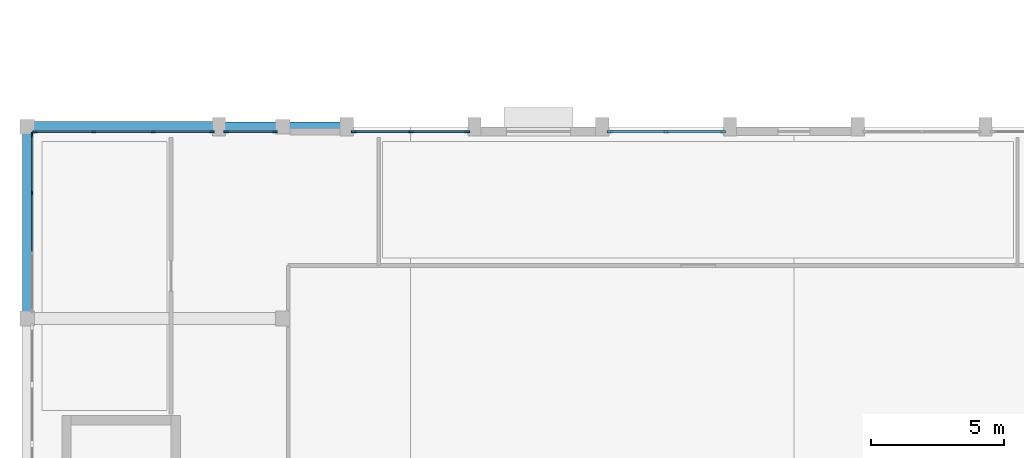
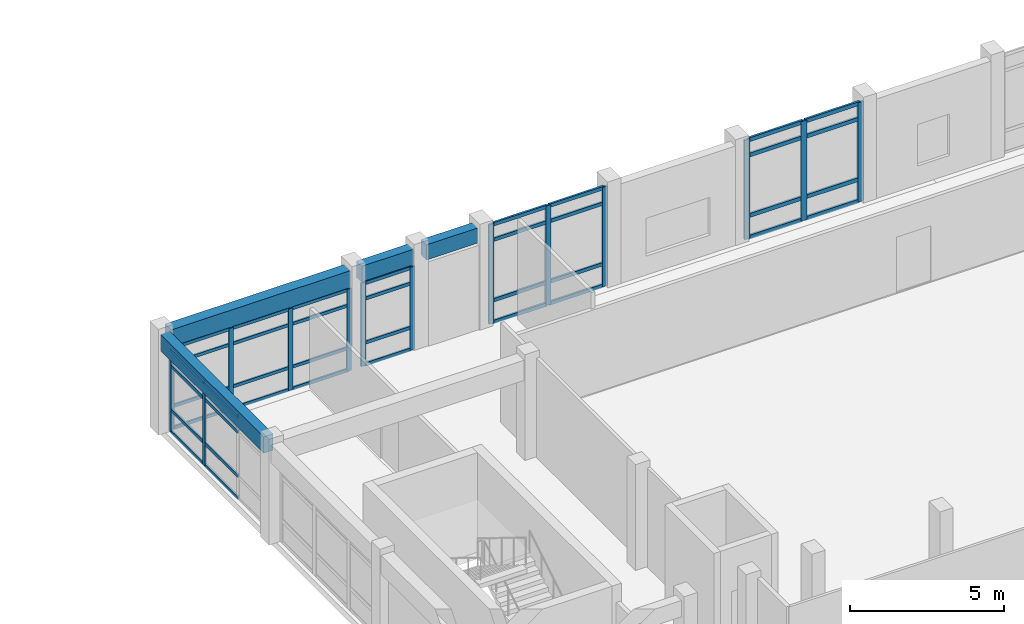
# One storey, part 14 of 60: 54 members, 4 beams, 5 elements without a shape of their own.
"""IFC4 building model written with IfcOpenShell, lengths in metres."""

from ifc_helpers import new_model, si_unit, direction, frame, origin, origin_2d, place, context, subcontext, project, spatial, rectangle, extrude, material, layer, layer_set, material_profile, profile_set, type_object, element, aggregate, save


model = new_model("IFC4")

# Units and contexts
model_context = context("Model", 3, precision=1e-05, world=origin(), true_north=direction((0.0, 1.0)))
body_context = subcontext(model_context, "Body", "Model", "MODEL_VIEW")
ifc_project = project(units=[si_unit("LENGTHUNIT", "METRE"), si_unit("AREAUNIT", "SQUARE_METRE"), si_unit("VOLUMEUNIT", "CUBIC_METRE"), si_unit("PLANEANGLEUNIT", "RADIAN"), si_unit("MASSUNIT", "GRAM", prefix="KILO")], contexts=[model_context])

# Site, building, storey
site_placement = place(None, origin())
site = spatial("IfcSite", under=ifc_project, at=site_placement, CompositionType="ELEMENT")
building_placement = place(site_placement, origin())
building = spatial("IfcBuilding", under=site, at=building_placement, Name="Brisavento Harbour Community Centre", CompositionType="ELEMENT")
storey_placement = place(building_placement, frame((0.0, 0.0, 4.5)))
storey = spatial("IfcBuildingStorey", under=building, at=storey_placement, Name="L01", CompositionType="ELEMENT", Elevation=4.5)

# Beams
ifc_material_1 = material(Name="Concrete C35/45", Category="concrete")
ifc_material_profile_1 = material_profile(ifc_material_1, rectangle(XDim=0.35009765625, YDim=0.60009765625, at=origin_2d()), Name="Concrete C35/45")
ifc_profile_set_1 = profile_set([ifc_material_profile_1], Name="Concrete C35/45")
beam_type_1 = type_object("IfcBeamType", Name="BM-RC-350x600", PredefinedType="BEAM", material=ifc_profile_set_1)
beam_1_placement = place(storey_placement, frame((9.844970703125, 36.0, 3.64990234375), z_axis=(1.0, 0.0, 0.0), x_axis=(0.0, 1.0, 0.0)))
element("IfcBeam", 1, at=beam_1_placement, inside=storey, type_object=beam_type_1, Name="L01 primary girder X0444", PredefinedType="BEAM", context=body_context, shape_type="SweptSolid", body=[
    extrude(rectangle(XDim=0.35009765625, YDim=0.60009765625, at=origin_2d()), origin(), (0.0, 0.0, 1.0), 1.93505859375),
])
ifc_material_profile_2 = material_profile(ifc_material_1, rectangle(XDim=0.35009765625, YDim=0.64990234375, at=origin_2d()), Name="Concrete C35/45")
ifc_profile_set_2 = profile_set([ifc_material_profile_2], Name="Concrete C35/45")
beam_type_2 = type_object("IfcBeamType", Name="BM-RC-350x650", PredefinedType="BEAM", material=ifc_profile_set_2)
beam_2_placement = place(storey_placement, frame((7.419921875, 36.0, 3.625), z_axis=(1.0, 0.0, 0.0), x_axis=(0.0, 1.0, 0.0)))
element("IfcBeam", 2, at=beam_2_placement, inside=storey, type_object=beam_type_2, Name="L01 primary girder X0443", PredefinedType="BEAM", context=body_context, shape_type="SweptSolid", body=[
    extrude(rectangle(XDim=0.35009765625, YDim=0.64990234375, at=origin_2d()), origin(), (0.0, 0.0, 1.0), 1.93505859375),
])
beam_3_placement = place(storey_placement, frame((0.0, 29.044921875, 3.625), z_axis=(0.0, 1.0, 0.0), x_axis=(-1.0, 0.0, 0.0)))
element("IfcBeam", 3, at=beam_3_placement, inside=storey, type_object=beam_type_2, Name="L01 primary girder Y0478", PredefinedType="BEAM", context=body_context, shape_type="SweptSolid", body=[
    extrude(rectangle(XDim=0.35009765625, YDim=0.64990234375, at=origin_2d()), origin(), (0.0, 0.0, 1.0), 6.7099609375),
])
ifc_material_profile_3 = material_profile(ifc_material_1, rectangle(XDim=0.39990234375, YDim=0.699951171875, at=origin_2d()), Name="Concrete C35/45")
ifc_profile_set_3 = profile_set([ifc_material_profile_3], Name="Concrete C35/45")
beam_type_3 = type_object("IfcBeamType", Name="BM-RC-400x700", PredefinedType="BEAM", material=ifc_profile_set_3)
beam_4_placement = place(storey_placement, frame((0.2451171875, 36.0, 3.60009765625), z_axis=(1.0, 0.0, 0.0), x_axis=(0.0, 1.0, 0.0)))
element("IfcBeam", 4, at=beam_4_placement, inside=storey, type_object=beam_type_3, Name="L01 primary girder X0442", PredefinedType="BEAM", context=body_context, shape_type="SweptSolid", body=[
    extrude(rectangle(XDim=0.39990234375, YDim=0.699951171875, at=origin_2d()), origin(), (0.0, 0.0, 1.0), 6.73486328125),
])

# Curtain wall, members
ifc_material_2 = material(Name="Marine-anodised aluminium AW-6063-T6", Category="aluminium")
ifc_layer_1 = layer(ifc_material_2, 0.179931640625, Name="Marine-anodised aluminium AW-6063-T6")
ifc_layer_set_1 = layer_set([ifc_layer_1], Name="Marine-anodised aluminium AW-6063-T6")
curtain_wall_type_1 = type_object("IfcCurtainWallType", Name="CW-SYS-13", PredefinedType="USERDEFINED", material=ifc_layer_set_1)
curtain_wall_1_placement = place(storey_placement, origin())
curtain_wall_1 = element("IfcCurtainWall", 5, at=curtain_wall_1_placement, inside=storey, type_object=curtain_wall_type_1, Name="L01 V1 unitised curtain wall 041", ObjectType="UNITISED CURTAIN WALL", PredefinedType="USERDEFINED")
ifc_material_profile_4 = material_profile(ifc_material_2, rectangle(XDim=0.06494140625, YDim=0.1650390625, at=origin_2d()), Name="Marine-anodised aluminium AW-6063-T6")
ifc_profile_set_4 = profile_set([ifc_material_profile_4], Name="Marine-anodised aluminium AW-6063-T6")
member_type_1 = type_object("IfcMemberType", Name="CWM-01", PredefinedType="MULLION", material=ifc_profile_set_4)
member_1_placement = place(storey_placement, frame((0.29248046875, 35.820068359375, 0.0), z_axis=(0.0, 0.0, 1.0), x_axis=(0.0, 1.0, 0.0)))
member_1 = element("IfcMember", 6, at=member_1_placement, type_object=member_type_1, Name="CW-13 mullion 1", PredefinedType="MULLION", context=body_context, shape_type="SweptSolid", body=[
    extrude(rectangle(XDim=0.06494140625, YDim=0.1650390625, at=origin_2d()), origin(), (0.0, 0.0, 1.0), 3.25),
])
member_2_placement = place(storey_placement, frame((2.4951171875, 35.820068359375, 0.0), z_axis=(0.0, 0.0, 1.0), x_axis=(0.0, 1.0, 0.0)))
member_2 = element("IfcMember", 7, at=member_2_placement, type_object=member_type_1, Name="CW-13 mullion 2", PredefinedType="MULLION", context=body_context, shape_type="SweptSolid", body=[
    extrude(rectangle(XDim=0.06494140625, YDim=0.1650390625, at=origin_2d()), origin(), (0.0, 0.0, 1.0), 3.25),
])
member_3_placement = place(storey_placement, frame((4.72998046875, 35.820068359375, 0.0), z_axis=(0.0, 0.0, 1.0), x_axis=(0.0, 1.0, 0.0)))
member_3 = element("IfcMember", 8, at=member_3_placement, type_object=member_type_1, Name="CW-13 mullion 3", PredefinedType="MULLION", context=body_context, shape_type="SweptSolid", body=[
    extrude(rectangle(XDim=0.06494140625, YDim=0.1650390625, at=origin_2d()), origin(), (0.0, 0.0, 1.0), 3.25),
])
member_4_placement = place(storey_placement, frame((6.9326171875, 35.820068359375, 0.0), z_axis=(0.0, 0.0, 1.0), x_axis=(0.0, 1.0, 0.0)))
member_4 = element("IfcMember", 9, at=member_4_placement, type_object=member_type_1, Name="CW-13 mullion 4", PredefinedType="MULLION", context=body_context, shape_type="SweptSolid", body=[
    extrude(rectangle(XDim=0.06494140625, YDim=0.1650390625, at=origin_2d()), origin(), (0.0, 0.0, 1.0), 3.25),
])

ifc_layer_2 = layer(ifc_material_2, 0.179931640625, Name="Marine-anodised aluminium AW-6063-T6")
ifc_layer_set_2 = layer_set([ifc_layer_2], Name="Marine-anodised aluminium AW-6063-T6")
curtain_wall_type_2 = type_object("IfcCurtainWallType", Name="CW-SYS-21", PredefinedType="USERDEFINED", material=ifc_layer_set_2)
curtain_wall_2_placement = place(storey_placement, origin())
curtain_wall_2 = element("IfcCurtainWall", 10, at=curtain_wall_2_placement, inside=storey, type_object=curtain_wall_type_2, Name="L01 V1 unitised curtain wall 049", ObjectType="UNITISED CURTAIN WALL", PredefinedType="USERDEFINED")
member_5_placement = place(storey_placement, frame((0.179931640625, 33.513427734375, 0.0), z_axis=(0.0, 0.0, 1.0), x_axis=(-1.0, 0.0, 0.0)))
member_5 = element("IfcMember", 11, at=member_5_placement, type_object=member_type_1, Name="CW-21 mullion 3", PredefinedType="MULLION", context=body_context, shape_type="SweptSolid", body=[
    extrude(rectangle(XDim=0.06494140625, YDim=0.1650390625, at=origin_2d()), origin(), (0.0, 0.0, 1.0), 3.300048828125),
])
member_6_placement = place(storey_placement, frame((0.179931640625, 35.70751953125, 0.0), z_axis=(0.0, 0.0, 1.0), x_axis=(-1.0, 0.0, 0.0)))
member_6 = element("IfcMember", 12, at=member_6_placement, type_object=member_type_1, Name="CW-21 mullion 4", PredefinedType="MULLION", context=body_context, shape_type="SweptSolid", body=[
    extrude(rectangle(XDim=0.06494140625, YDim=0.1650390625, at=origin_2d()), origin(), (0.0, 0.0, 1.0), 3.300048828125),
])

ifc_layer_3 = layer(ifc_material_2, 0.179931640625, Name="Marine-anodised aluminium AW-6063-T6")
ifc_layer_set_3 = layer_set([ifc_layer_3], Name="Marine-anodised aluminium AW-6063-T6")
curtain_wall_type_3 = type_object("IfcCurtainWallType", Name="CW-SYS-14", PredefinedType="USERDEFINED", material=ifc_layer_set_3)
curtain_wall_3_placement = place(storey_placement, origin())
curtain_wall_3 = element("IfcCurtainWall", 13, at=curtain_wall_3_placement, inside=storey, type_object=curtain_wall_type_3, Name="L01 V1 unitised curtain wall 042", ObjectType="UNITISED CURTAIN WALL", PredefinedType="USERDEFINED")
ifc_material_profile_5 = material_profile(ifc_material_2, rectangle(XDim=0.070068359375, YDim=0.179931640625, at=origin_2d()), Name="Marine-anodised aluminium AW-6063-T6")
ifc_profile_set_5 = profile_set([ifc_material_profile_5], Name="Marine-anodised aluminium AW-6063-T6")
member_type_2 = type_object("IfcMemberType", Name="CWM-02", PredefinedType="MULLION", material=ifc_profile_set_5)
member_7_placement = place(storey_placement, frame((7.469970703125, 35.820068359375, 0.0), z_axis=(0.0, 0.0, 1.0), x_axis=(0.0, 1.0, 0.0)))
member_7 = element("IfcMember", 14, at=member_7_placement, type_object=member_type_2, Name="CW-14 mullion 1", PredefinedType="MULLION", context=body_context, shape_type="SweptSolid", body=[
    extrude(rectangle(XDim=0.070068359375, YDim=0.179931640625, at=origin_2d()), origin(), (0.0, 0.0, 1.0), 3.300048828125),
])
member_8_placement = place(storey_placement, frame((9.304931640625, 35.820068359375, 0.0), z_axis=(0.0, 0.0, 1.0), x_axis=(0.0, 1.0, 0.0)))
member_8 = element("IfcMember", 15, at=member_8_placement, type_object=member_type_2, Name="CW-14 mullion 2", PredefinedType="MULLION", context=body_context, shape_type="SweptSolid", body=[
    extrude(rectangle(XDim=0.070068359375, YDim=0.179931640625, at=origin_2d()), origin(), (0.0, 0.0, 1.0), 3.300048828125),
])

ifc_layer_4 = layer(ifc_material_2, 0.179931640625, Name="Marine-anodised aluminium AW-6063-T6")
ifc_layer_set_4 = layer_set([ifc_layer_4], Name="Marine-anodised aluminium AW-6063-T6")
curtain_wall_type_4 = type_object("IfcCurtainWallType", Name="CW-SYS-15", PredefinedType="USERDEFINED", material=ifc_layer_set_4)
curtain_wall_4_placement = place(storey_placement, origin())
curtain_wall_4 = element("IfcCurtainWall", 16, at=curtain_wall_4_placement, inside=storey, type_object=curtain_wall_type_4, Name="L01 V1 unitised curtain wall 043", ObjectType="UNITISED CURTAIN WALL", PredefinedType="USERDEFINED")
ifc_material_profile_6 = material_profile(ifc_material_2, rectangle(XDim=0.074951171875, YDim=0.18994140625, at=origin_2d()), Name="Marine-anodised aluminium AW-6063-T6")
ifc_profile_set_6 = profile_set([ifc_material_profile_6], Name="Marine-anodised aluminium AW-6063-T6")
member_type_3 = type_object("IfcMemberType", Name="CWM-03", PredefinedType="MULLION", material=ifc_profile_set_6)
member_9_placement = place(storey_placement, frame((12.2724609375, 35.820068359375, 0.0), z_axis=(0.0, 0.0, 1.0), x_axis=(0.0, 1.0, 0.0)))
member_9 = element("IfcMember", 17, at=member_9_placement, type_object=member_type_3, Name="CW-15 mullion 1", PredefinedType="MULLION", context=body_context, shape_type="SweptSolid", body=[
    extrude(rectangle(XDim=0.074951171875, YDim=0.18994140625, at=origin_2d()), origin(), (0.0, 0.0, 1.0), 3.949951171875),
])
member_10_placement = place(storey_placement, frame((14.39990234375, 35.820068359375, 0.0), z_axis=(0.0, 0.0, 1.0), x_axis=(0.0, 1.0, 0.0)))
member_10 = element("IfcMember", 18, at=member_10_placement, type_object=member_type_3, Name="CW-15 mullion 2", PredefinedType="MULLION", context=body_context, shape_type="SweptSolid", body=[
    extrude(rectangle(XDim=0.074951171875, YDim=0.18994140625, at=origin_2d()), origin(), (0.0, 0.0, 1.0), 3.949951171875),
])
member_11_placement = place(storey_placement, frame((16.527587890625, 35.820068359375, 0.0), z_axis=(0.0, 0.0, 1.0), x_axis=(0.0, 1.0, 0.0)))
member_11 = element("IfcMember", 19, at=member_11_placement, type_object=member_type_3, Name="CW-15 mullion 3", PredefinedType="MULLION", context=body_context, shape_type="SweptSolid", body=[
    extrude(rectangle(XDim=0.074951171875, YDim=0.18994140625, at=origin_2d()), origin(), (0.0, 0.0, 1.0), 3.949951171875),
])

ifc_layer_5 = layer(ifc_material_2, 0.179931640625, Name="Marine-anodised aluminium AW-6063-T6")
ifc_layer_set_5 = layer_set([ifc_layer_5], Name="Marine-anodised aluminium AW-6063-T6")
curtain_wall_type_5 = type_object("IfcCurtainWallType", Name="CW-SYS-16", PredefinedType="USERDEFINED", material=ifc_layer_set_5)
curtain_wall_5_placement = place(storey_placement, origin())
curtain_wall_5 = element("IfcCurtainWall", 20, at=curtain_wall_5_placement, inside=storey, type_object=curtain_wall_type_5, Name="L01 V1 unitised curtain wall 044", ObjectType="UNITISED CURTAIN WALL", PredefinedType="USERDEFINED")
ifc_material_profile_7 = material_profile(ifc_material_2, rectangle(XDim=0.080078125, YDim=0.2099609375, at=origin_2d()), Name="Marine-anodised aluminium AW-6063-T6")
ifc_profile_set_7 = profile_set([ifc_material_profile_7], Name="Marine-anodised aluminium AW-6063-T6")
member_type_4 = type_object("IfcMemberType", Name="CWM-04", PredefinedType="MULLION", material=ifc_profile_set_7)
member_12_placement = place(storey_placement, frame((21.875, 35.820068359375, 0.0), z_axis=(0.0, 0.0, 1.0), x_axis=(0.0, 1.0, 0.0)))
member_12 = element("IfcMember", 21, at=member_12_placement, type_object=member_type_4, Name="CW-16 mullion 1", PredefinedType="MULLION", context=body_context, shape_type="SweptSolid", body=[
    extrude(rectangle(XDim=0.080078125, YDim=0.2099609375, at=origin_2d()), origin(), (0.0, 0.0, 1.0), 3.949951171875),
])
member_13_placement = place(storey_placement, frame((24.0, 35.820068359375, 0.0), z_axis=(0.0, 0.0, 1.0), x_axis=(0.0, 1.0, 0.0)))
member_13 = element("IfcMember", 22, at=member_13_placement, type_object=member_type_4, Name="CW-16 mullion 2", PredefinedType="MULLION", context=body_context, shape_type="SweptSolid", body=[
    extrude(rectangle(XDim=0.080078125, YDim=0.2099609375, at=origin_2d()), origin(), (0.0, 0.0, 1.0), 3.949951171875),
])
member_14_placement = place(storey_placement, frame((26.125, 35.820068359375, 0.0), z_axis=(0.0, 0.0, 1.0), x_axis=(0.0, 1.0, 0.0)))
member_14 = element("IfcMember", 23, at=member_14_placement, type_object=member_type_4, Name="CW-16 mullion 3", PredefinedType="MULLION", context=body_context, shape_type="SweptSolid", body=[
    extrude(rectangle(XDim=0.080078125, YDim=0.2099609375, at=origin_2d()), origin(), (0.0, 0.0, 1.0), 3.949951171875),
])

# Member
ifc_material_profile_8 = material_profile(ifc_material_2, rectangle(XDim=0.06494140625, YDim=0.125, at=origin_2d()), Name="Marine-anodised aluminium AW-6063-T6")
ifc_profile_set_8 = profile_set([ifc_material_profile_8], Name="Marine-anodised aluminium AW-6063-T6")
member_type_5 = type_object("IfcMemberType", Name="CWT-01", PredefinedType="USERDEFINED", material=ifc_profile_set_8)
member_15_placement = place(storey_placement, frame((0.324951171875, 35.820068359375, 0.032470703125), z_axis=(1.0, 0.0, 0.0), x_axis=(0.0, 1.0, 0.0)))
member_15 = element("IfcMember", 24, at=member_15_placement, type_object=member_type_5, Name="CW-13 transom 1.1", ObjectType="TRANSOM", PredefinedType="USERDEFINED", context=body_context, shape_type="SweptSolid", body=[
    extrude(rectangle(XDim=0.06494140625, YDim=0.125, at=origin_2d()), origin(), (0.0, 0.0, 1.0), 2.137451171875),
])

member_16_placement = place(storey_placement, frame((0.324951171875, 35.820068359375, 0.89990234375), z_axis=(1.0, 0.0, 0.0), x_axis=(0.0, 1.0, 0.0)))
member_16 = element("IfcMember", 25, at=member_16_placement, type_object=member_type_5, Name="CW-13 transom 1.2", ObjectType="TRANSOM", PredefinedType="USERDEFINED", context=body_context, shape_type="SweptSolid", body=[
    extrude(rectangle(XDim=0.06494140625, YDim=0.125, at=origin_2d()), origin(), (0.0, 0.0, 1.0), 2.137451171875),
])

member_17_placement = place(storey_placement, frame((0.324951171875, 35.820068359375, 2.60009765625), z_axis=(1.0, 0.0, 0.0), x_axis=(0.0, 1.0, 0.0)))
member_17 = element("IfcMember", 26, at=member_17_placement, type_object=member_type_5, Name="CW-13 transom 1.3", ObjectType="TRANSOM", PredefinedType="USERDEFINED", context=body_context, shape_type="SweptSolid", body=[
    extrude(rectangle(XDim=0.06494140625, YDim=0.125, at=origin_2d()), origin(), (0.0, 0.0, 1.0), 2.137451171875),
])

member_18_placement = place(storey_placement, frame((0.324951171875, 35.820068359375, 3.217529296875), z_axis=(1.0, 0.0, 0.0), x_axis=(0.0, 1.0, 0.0)))
member_18 = element("IfcMember", 27, at=member_18_placement, type_object=member_type_5, Name="CW-13 transom 1.4", ObjectType="TRANSOM", PredefinedType="USERDEFINED", context=body_context, shape_type="SweptSolid", body=[
    extrude(rectangle(XDim=0.06494140625, YDim=0.125, at=origin_2d()), origin(), (0.0, 0.0, 1.0), 2.137451171875),
])

member_19_placement = place(storey_placement, frame((2.527587890625, 35.820068359375, 0.032470703125), z_axis=(1.0, 0.0, 0.0), x_axis=(0.0, 1.0, 0.0)))
member_19 = element("IfcMember", 28, at=member_19_placement, type_object=member_type_5, Name="CW-13 transom 2.1", ObjectType="TRANSOM", PredefinedType="USERDEFINED", context=body_context, shape_type="SweptSolid", body=[
    extrude(rectangle(XDim=0.06494140625, YDim=0.125, at=origin_2d()), origin(), (0.0, 0.0, 1.0), 2.169921875),
])

member_20_placement = place(storey_placement, frame((2.527587890625, 35.820068359375, 0.89990234375), z_axis=(1.0, 0.0, 0.0), x_axis=(0.0, 1.0, 0.0)))
member_20 = element("IfcMember", 29, at=member_20_placement, type_object=member_type_5, Name="CW-13 transom 2.2", ObjectType="TRANSOM", PredefinedType="USERDEFINED", context=body_context, shape_type="SweptSolid", body=[
    extrude(rectangle(XDim=0.06494140625, YDim=0.125, at=origin_2d()), origin(), (0.0, 0.0, 1.0), 2.169921875),
])

member_21_placement = place(storey_placement, frame((2.527587890625, 35.820068359375, 2.60009765625), z_axis=(1.0, 0.0, 0.0), x_axis=(0.0, 1.0, 0.0)))
member_21 = element("IfcMember", 30, at=member_21_placement, type_object=member_type_5, Name="CW-13 transom 2.3", ObjectType="TRANSOM", PredefinedType="USERDEFINED", context=body_context, shape_type="SweptSolid", body=[
    extrude(rectangle(XDim=0.06494140625, YDim=0.125, at=origin_2d()), origin(), (0.0, 0.0, 1.0), 2.169921875),
])

member_22_placement = place(storey_placement, frame((2.527587890625, 35.820068359375, 3.217529296875), z_axis=(1.0, 0.0, 0.0), x_axis=(0.0, 1.0, 0.0)))
member_22 = element("IfcMember", 31, at=member_22_placement, type_object=member_type_5, Name="CW-13 transom 2.4", ObjectType="TRANSOM", PredefinedType="USERDEFINED", context=body_context, shape_type="SweptSolid", body=[
    extrude(rectangle(XDim=0.06494140625, YDim=0.125, at=origin_2d()), origin(), (0.0, 0.0, 1.0), 2.169921875),
])

member_23_placement = place(storey_placement, frame((4.762451171875, 35.820068359375, 0.032470703125), z_axis=(1.0, 0.0, 0.0), x_axis=(0.0, 1.0, 0.0)))
member_23 = element("IfcMember", 32, at=member_23_placement, type_object=member_type_5, Name="CW-13 transom 3.1", ObjectType="TRANSOM", PredefinedType="USERDEFINED", context=body_context, shape_type="SweptSolid", body=[
    extrude(rectangle(XDim=0.06494140625, YDim=0.125, at=origin_2d()), origin(), (0.0, 0.0, 1.0), 2.137451171875),
])

member_24_placement = place(storey_placement, frame((4.762451171875, 35.820068359375, 0.89990234375), z_axis=(1.0, 0.0, 0.0), x_axis=(0.0, 1.0, 0.0)))
member_24 = element("IfcMember", 33, at=member_24_placement, type_object=member_type_5, Name="CW-13 transom 3.2", ObjectType="TRANSOM", PredefinedType="USERDEFINED", context=body_context, shape_type="SweptSolid", body=[
    extrude(rectangle(XDim=0.06494140625, YDim=0.125, at=origin_2d()), origin(), (0.0, 0.0, 1.0), 2.137451171875),
])

member_25_placement = place(storey_placement, frame((4.762451171875, 35.820068359375, 2.60009765625), z_axis=(1.0, 0.0, 0.0), x_axis=(0.0, 1.0, 0.0)))
member_25 = element("IfcMember", 34, at=member_25_placement, type_object=member_type_5, Name="CW-13 transom 3.3", ObjectType="TRANSOM", PredefinedType="USERDEFINED", context=body_context, shape_type="SweptSolid", body=[
    extrude(rectangle(XDim=0.06494140625, YDim=0.125, at=origin_2d()), origin(), (0.0, 0.0, 1.0), 2.137451171875),
])

member_26_placement = place(storey_placement, frame((4.762451171875, 35.820068359375, 3.217529296875), z_axis=(1.0, 0.0, 0.0), x_axis=(0.0, 1.0, 0.0)))
member_26 = element("IfcMember", 35, at=member_26_placement, type_object=member_type_5, Name="CW-13 transom 3.4", ObjectType="TRANSOM", PredefinedType="USERDEFINED", context=body_context, shape_type="SweptSolid", body=[
    extrude(rectangle(XDim=0.06494140625, YDim=0.125, at=origin_2d()), origin(), (0.0, 0.0, 1.0), 2.137451171875),
])

aggregate(curtain_wall_1, [member_1, member_2, member_3, member_4, member_15, member_16, member_17, member_18, member_19, member_20, member_21, member_22, member_23, member_24, member_25, member_26])

member_27_placement = place(storey_placement, frame((0.179931640625, 31.319091796875, 0.032470703125), z_axis=(0.0, 1.0, 0.0), x_axis=(-1.0, 0.0, 0.0)))
member_27 = element("IfcMember", 36, at=member_27_placement, type_object=member_type_5, Name="CW-21 transom 2.1", ObjectType="TRANSOM", PredefinedType="USERDEFINED", context=body_context, shape_type="SweptSolid", body=[
    extrude(rectangle(XDim=0.06494140625, YDim=0.125, at=origin_2d()), origin(), (0.0, 0.0, 1.0), 2.16162109375),
])

member_28_placement = place(storey_placement, frame((0.179931640625, 31.319091796875, 0.89990234375), z_axis=(0.0, 1.0, 0.0), x_axis=(-1.0, 0.0, 0.0)))
member_28 = element("IfcMember", 37, at=member_28_placement, type_object=member_type_5, Name="CW-21 transom 2.2", ObjectType="TRANSOM", PredefinedType="USERDEFINED", context=body_context, shape_type="SweptSolid", body=[
    extrude(rectangle(XDim=0.06494140625, YDim=0.125, at=origin_2d()), origin(), (0.0, 0.0, 1.0), 2.16162109375),
])

member_29_placement = place(storey_placement, frame((0.179931640625, 31.319091796875, 2.64990234375), z_axis=(0.0, 1.0, 0.0), x_axis=(-1.0, 0.0, 0.0)))
member_29 = element("IfcMember", 38, at=member_29_placement, type_object=member_type_5, Name="CW-21 transom 2.3", ObjectType="TRANSOM", PredefinedType="USERDEFINED", context=body_context, shape_type="SweptSolid", body=[
    extrude(rectangle(XDim=0.06494140625, YDim=0.125, at=origin_2d()), origin(), (0.0, 0.0, 1.0), 2.16162109375),
])

member_30_placement = place(storey_placement, frame((0.179931640625, 31.319091796875, 3.267578125), z_axis=(0.0, 1.0, 0.0), x_axis=(-1.0, 0.0, 0.0)))
member_30 = element("IfcMember", 39, at=member_30_placement, type_object=member_type_5, Name="CW-21 transom 2.4", ObjectType="TRANSOM", PredefinedType="USERDEFINED", context=body_context, shape_type="SweptSolid", body=[
    extrude(rectangle(XDim=0.06494140625, YDim=0.125, at=origin_2d()), origin(), (0.0, 0.0, 1.0), 2.16162109375),
])

member_31_placement = place(storey_placement, frame((0.179931640625, 33.5458984375, 0.032470703125), z_axis=(0.0, 1.0, 0.0), x_axis=(-1.0, 0.0, 0.0)))
member_31 = element("IfcMember", 40, at=member_31_placement, type_object=member_type_5, Name="CW-21 transom 3.1", ObjectType="TRANSOM", PredefinedType="USERDEFINED", context=body_context, shape_type="SweptSolid", body=[
    extrude(rectangle(XDim=0.06494140625, YDim=0.125, at=origin_2d()), origin(), (0.0, 0.0, 1.0), 2.129150390625),
])

member_32_placement = place(storey_placement, frame((0.179931640625, 33.5458984375, 0.89990234375), z_axis=(0.0, 1.0, 0.0), x_axis=(-1.0, 0.0, 0.0)))
member_32 = element("IfcMember", 41, at=member_32_placement, type_object=member_type_5, Name="CW-21 transom 3.2", ObjectType="TRANSOM", PredefinedType="USERDEFINED", context=body_context, shape_type="SweptSolid", body=[
    extrude(rectangle(XDim=0.06494140625, YDim=0.125, at=origin_2d()), origin(), (0.0, 0.0, 1.0), 2.129150390625),
])

member_33_placement = place(storey_placement, frame((0.179931640625, 33.5458984375, 2.64990234375), z_axis=(0.0, 1.0, 0.0), x_axis=(-1.0, 0.0, 0.0)))
member_33 = element("IfcMember", 42, at=member_33_placement, type_object=member_type_5, Name="CW-21 transom 3.3", ObjectType="TRANSOM", PredefinedType="USERDEFINED", context=body_context, shape_type="SweptSolid", body=[
    extrude(rectangle(XDim=0.06494140625, YDim=0.125, at=origin_2d()), origin(), (0.0, 0.0, 1.0), 2.129150390625),
])

member_34_placement = place(storey_placement, frame((0.179931640625, 33.5458984375, 3.267578125), z_axis=(0.0, 1.0, 0.0), x_axis=(-1.0, 0.0, 0.0)))
member_34 = element("IfcMember", 43, at=member_34_placement, type_object=member_type_5, Name="CW-21 transom 3.4", ObjectType="TRANSOM", PredefinedType="USERDEFINED", context=body_context, shape_type="SweptSolid", body=[
    extrude(rectangle(XDim=0.06494140625, YDim=0.125, at=origin_2d()), origin(), (0.0, 0.0, 1.0), 2.129150390625),
])

aggregate(curtain_wall_2, [member_5, member_6, member_27, member_28, member_29, member_30, member_31, member_32, member_33, member_34])

ifc_material_profile_9 = material_profile(ifc_material_2, rectangle(XDim=0.070068359375, YDim=0.132080078125, at=origin_2d()), Name="Marine-anodised aluminium AW-6063-T6")
ifc_profile_set_9 = profile_set([ifc_material_profile_9], Name="Marine-anodised aluminium AW-6063-T6")
member_type_6 = type_object("IfcMemberType", Name="CWT-02", PredefinedType="USERDEFINED", material=ifc_profile_set_9)
member_35_placement = place(storey_placement, frame((7.5048828125, 35.820068359375, 0.034912109375), z_axis=(1.0, 0.0, 0.0), x_axis=(0.0, 1.0, 0.0)))
member_35 = element("IfcMember", 44, at=member_35_placement, type_object=member_type_6, Name="CW-14 transom 1.1", ObjectType="TRANSOM", PredefinedType="USERDEFINED", context=body_context, shape_type="SweptSolid", body=[
    extrude(rectangle(XDim=0.070068359375, YDim=0.132080078125, at=origin_2d()), origin(), (0.0, 0.0, 1.0), 1.76513671875),
])

member_36_placement = place(storey_placement, frame((7.5048828125, 35.820068359375, 0.89990234375), z_axis=(1.0, 0.0, 0.0), x_axis=(0.0, 1.0, 0.0)))
member_36 = element("IfcMember", 45, at=member_36_placement, type_object=member_type_6, Name="CW-14 transom 1.2", ObjectType="TRANSOM", PredefinedType="USERDEFINED", context=body_context, shape_type="SweptSolid", body=[
    extrude(rectangle(XDim=0.070068359375, YDim=0.132080078125, at=origin_2d()), origin(), (0.0, 0.0, 1.0), 1.76513671875),
])

member_37_placement = place(storey_placement, frame((7.5048828125, 35.820068359375, 2.64990234375), z_axis=(1.0, 0.0, 0.0), x_axis=(0.0, 1.0, 0.0)))
member_37 = element("IfcMember", 46, at=member_37_placement, type_object=member_type_6, Name="CW-14 transom 1.3", ObjectType="TRANSOM", PredefinedType="USERDEFINED", context=body_context, shape_type="SweptSolid", body=[
    extrude(rectangle(XDim=0.070068359375, YDim=0.132080078125, at=origin_2d()), origin(), (0.0, 0.0, 1.0), 1.76513671875),
])

member_38_placement = place(storey_placement, frame((7.5048828125, 35.820068359375, 3.264892578125), z_axis=(1.0, 0.0, 0.0), x_axis=(0.0, 1.0, 0.0)))
member_38 = element("IfcMember", 47, at=member_38_placement, type_object=member_type_6, Name="CW-14 transom 1.4", ObjectType="TRANSOM", PredefinedType="USERDEFINED", context=body_context, shape_type="SweptSolid", body=[
    extrude(rectangle(XDim=0.070068359375, YDim=0.132080078125, at=origin_2d()), origin(), (0.0, 0.0, 1.0), 1.76513671875),
])

aggregate(curtain_wall_3, [member_7, member_8, member_35, member_36, member_37, member_38])

ifc_material_profile_10 = material_profile(ifc_material_2, rectangle(XDim=0.074951171875, YDim=0.139892578125, at=origin_2d()), Name="Marine-anodised aluminium AW-6063-T6")
ifc_profile_set_10 = profile_set([ifc_material_profile_10], Name="Marine-anodised aluminium AW-6063-T6")
member_type_7 = type_object("IfcMemberType", Name="CWT-03", PredefinedType="USERDEFINED", material=ifc_profile_set_10)
member_39_placement = place(storey_placement, frame((12.31005859375, 35.820068359375, 0.03759765625), z_axis=(1.0, 0.0, 0.0), x_axis=(0.0, 1.0, 0.0)))
member_39 = element("IfcMember", 48, at=member_39_placement, type_object=member_type_7, Name="CW-15 transom 1.1", ObjectType="TRANSOM", PredefinedType="USERDEFINED", context=body_context, shape_type="SweptSolid", body=[
    extrude(rectangle(XDim=0.074951171875, YDim=0.139892578125, at=origin_2d()), origin(), (0.0, 0.0, 1.0), 2.052490234375),
])

member_40_placement = place(storey_placement, frame((12.31005859375, 35.820068359375, 0.89990234375), z_axis=(1.0, 0.0, 0.0), x_axis=(0.0, 1.0, 0.0)))
member_40 = element("IfcMember", 49, at=member_40_placement, type_object=member_type_7, Name="CW-15 transom 1.2", ObjectType="TRANSOM", PredefinedType="USERDEFINED", context=body_context, shape_type="SweptSolid", body=[
    extrude(rectangle(XDim=0.074951171875, YDim=0.139892578125, at=origin_2d()), origin(), (0.0, 0.0, 1.0), 2.052490234375),
])

member_41_placement = place(storey_placement, frame((12.31005859375, 35.820068359375, 3.300048828125), z_axis=(1.0, 0.0, 0.0), x_axis=(0.0, 1.0, 0.0)))
member_41 = element("IfcMember", 50, at=member_41_placement, type_object=member_type_7, Name="CW-15 transom 1.3", ObjectType="TRANSOM", PredefinedType="USERDEFINED", context=body_context, shape_type="SweptSolid", body=[
    extrude(rectangle(XDim=0.074951171875, YDim=0.139892578125, at=origin_2d()), origin(), (0.0, 0.0, 1.0), 2.052490234375),
])

member_42_placement = place(storey_placement, frame((12.31005859375, 35.820068359375, 3.91259765625), z_axis=(1.0, 0.0, 0.0), x_axis=(0.0, 1.0, 0.0)))
member_42 = element("IfcMember", 51, at=member_42_placement, type_object=member_type_7, Name="CW-15 transom 1.4", ObjectType="TRANSOM", PredefinedType="USERDEFINED", context=body_context, shape_type="SweptSolid", body=[
    extrude(rectangle(XDim=0.074951171875, YDim=0.139892578125, at=origin_2d()), origin(), (0.0, 0.0, 1.0), 2.052490234375),
])

member_43_placement = place(storey_placement, frame((14.4375, 35.820068359375, 0.03759765625), z_axis=(1.0, 0.0, 0.0), x_axis=(0.0, 1.0, 0.0)))
member_43 = element("IfcMember", 52, at=member_43_placement, type_object=member_type_7, Name="CW-15 transom 2.1", ObjectType="TRANSOM", PredefinedType="USERDEFINED", context=body_context, shape_type="SweptSolid", body=[
    extrude(rectangle(XDim=0.074951171875, YDim=0.139892578125, at=origin_2d()), origin(), (0.0, 0.0, 1.0), 2.052490234375),
])

member_44_placement = place(storey_placement, frame((14.4375, 35.820068359375, 0.89990234375), z_axis=(1.0, 0.0, 0.0), x_axis=(0.0, 1.0, 0.0)))
member_44 = element("IfcMember", 53, at=member_44_placement, type_object=member_type_7, Name="CW-15 transom 2.2", ObjectType="TRANSOM", PredefinedType="USERDEFINED", context=body_context, shape_type="SweptSolid", body=[
    extrude(rectangle(XDim=0.074951171875, YDim=0.139892578125, at=origin_2d()), origin(), (0.0, 0.0, 1.0), 2.052490234375),
])

member_45_placement = place(storey_placement, frame((14.4375, 35.820068359375, 3.300048828125), z_axis=(1.0, 0.0, 0.0), x_axis=(0.0, 1.0, 0.0)))
member_45 = element("IfcMember", 54, at=member_45_placement, type_object=member_type_7, Name="CW-15 transom 2.3", ObjectType="TRANSOM", PredefinedType="USERDEFINED", context=body_context, shape_type="SweptSolid", body=[
    extrude(rectangle(XDim=0.074951171875, YDim=0.139892578125, at=origin_2d()), origin(), (0.0, 0.0, 1.0), 2.052490234375),
])

member_46_placement = place(storey_placement, frame((14.4375, 35.820068359375, 3.91259765625), z_axis=(1.0, 0.0, 0.0), x_axis=(0.0, 1.0, 0.0)))
member_46 = element("IfcMember", 55, at=member_46_placement, type_object=member_type_7, Name="CW-15 transom 2.4", ObjectType="TRANSOM", PredefinedType="USERDEFINED", context=body_context, shape_type="SweptSolid", body=[
    extrude(rectangle(XDim=0.074951171875, YDim=0.139892578125, at=origin_2d()), origin(), (0.0, 0.0, 1.0), 2.052490234375),
])

aggregate(curtain_wall_4, [member_9, member_10, member_11, member_39, member_40, member_41, member_42, member_43, member_44, member_45, member_46])

ifc_material_profile_11 = material_profile(ifc_material_2, rectangle(XDim=0.080078125, YDim=0.155029296875, at=origin_2d()), Name="Marine-anodised aluminium AW-6063-T6")
ifc_profile_set_11 = profile_set([ifc_material_profile_11], Name="Marine-anodised aluminium AW-6063-T6")
member_type_8 = type_object("IfcMemberType", Name="CWT-04", PredefinedType="USERDEFINED", material=ifc_profile_set_11)
member_47_placement = place(storey_placement, frame((21.9150390625, 35.820068359375, 0.0400390625), z_axis=(1.0, 0.0, 0.0), x_axis=(0.0, 1.0, 0.0)))
member_47 = element("IfcMember", 56, at=member_47_placement, type_object=member_type_8, Name="CW-16 transom 1.1", ObjectType="TRANSOM", PredefinedType="USERDEFINED", context=body_context, shape_type="SweptSolid", body=[
    extrude(rectangle(XDim=0.080078125, YDim=0.155029296875, at=origin_2d()), origin(), (0.0, 0.0, 1.0), 2.044921875),
])

member_48_placement = place(storey_placement, frame((21.9150390625, 35.820068359375, 0.89990234375), z_axis=(1.0, 0.0, 0.0), x_axis=(0.0, 1.0, 0.0)))
member_48 = element("IfcMember", 57, at=member_48_placement, type_object=member_type_8, Name="CW-16 transom 1.2", ObjectType="TRANSOM", PredefinedType="USERDEFINED", context=body_context, shape_type="SweptSolid", body=[
    extrude(rectangle(XDim=0.080078125, YDim=0.155029296875, at=origin_2d()), origin(), (0.0, 0.0, 1.0), 2.044921875),
])

member_49_placement = place(storey_placement, frame((21.9150390625, 35.820068359375, 3.300048828125), z_axis=(1.0, 0.0, 0.0), x_axis=(0.0, 1.0, 0.0)))
member_49 = element("IfcMember", 58, at=member_49_placement, type_object=member_type_8, Name="CW-16 transom 1.3", ObjectType="TRANSOM", PredefinedType="USERDEFINED", context=body_context, shape_type="SweptSolid", body=[
    extrude(rectangle(XDim=0.080078125, YDim=0.155029296875, at=origin_2d()), origin(), (0.0, 0.0, 1.0), 2.044921875),
])

member_50_placement = place(storey_placement, frame((21.9150390625, 35.820068359375, 3.909912109375), z_axis=(1.0, 0.0, 0.0), x_axis=(0.0, 1.0, 0.0)))
member_50 = element("IfcMember", 59, at=member_50_placement, type_object=member_type_8, Name="CW-16 transom 1.4", ObjectType="TRANSOM", PredefinedType="USERDEFINED", context=body_context, shape_type="SweptSolid", body=[
    extrude(rectangle(XDim=0.080078125, YDim=0.155029296875, at=origin_2d()), origin(), (0.0, 0.0, 1.0), 2.044921875),
])

member_51_placement = place(storey_placement, frame((24.0400390625, 35.820068359375, 0.0400390625), z_axis=(1.0, 0.0, 0.0), x_axis=(0.0, 1.0, 0.0)))
member_51 = element("IfcMember", 60, at=member_51_placement, type_object=member_type_8, Name="CW-16 transom 2.1", ObjectType="TRANSOM", PredefinedType="USERDEFINED", context=body_context, shape_type="SweptSolid", body=[
    extrude(rectangle(XDim=0.080078125, YDim=0.155029296875, at=origin_2d()), origin(), (0.0, 0.0, 1.0), 2.044921875),
])

member_52_placement = place(storey_placement, frame((24.0400390625, 35.820068359375, 0.89990234375), z_axis=(1.0, 0.0, 0.0), x_axis=(0.0, 1.0, 0.0)))
member_52 = element("IfcMember", 61, at=member_52_placement, type_object=member_type_8, Name="CW-16 transom 2.2", ObjectType="TRANSOM", PredefinedType="USERDEFINED", context=body_context, shape_type="SweptSolid", body=[
    extrude(rectangle(XDim=0.080078125, YDim=0.155029296875, at=origin_2d()), origin(), (0.0, 0.0, 1.0), 2.044921875),
])

member_53_placement = place(storey_placement, frame((24.0400390625, 35.820068359375, 3.300048828125), z_axis=(1.0, 0.0, 0.0), x_axis=(0.0, 1.0, 0.0)))
member_53 = element("IfcMember", 62, at=member_53_placement, type_object=member_type_8, Name="CW-16 transom 2.3", ObjectType="TRANSOM", PredefinedType="USERDEFINED", context=body_context, shape_type="SweptSolid", body=[
    extrude(rectangle(XDim=0.080078125, YDim=0.155029296875, at=origin_2d()), origin(), (0.0, 0.0, 1.0), 2.044921875),
])

member_54_placement = place(storey_placement, frame((24.0400390625, 35.820068359375, 3.909912109375), z_axis=(1.0, 0.0, 0.0), x_axis=(0.0, 1.0, 0.0)))
member_54 = element("IfcMember", 63, at=member_54_placement, type_object=member_type_8, Name="CW-16 transom 2.4", ObjectType="TRANSOM", PredefinedType="USERDEFINED", context=body_context, shape_type="SweptSolid", body=[
    extrude(rectangle(XDim=0.080078125, YDim=0.155029296875, at=origin_2d()), origin(), (0.0, 0.0, 1.0), 2.044921875),
])

aggregate(curtain_wall_5, [member_12, member_13, member_14, member_47, member_48, member_49, member_50, member_51, member_52, member_53, member_54])

save(model, "model.ifc")
